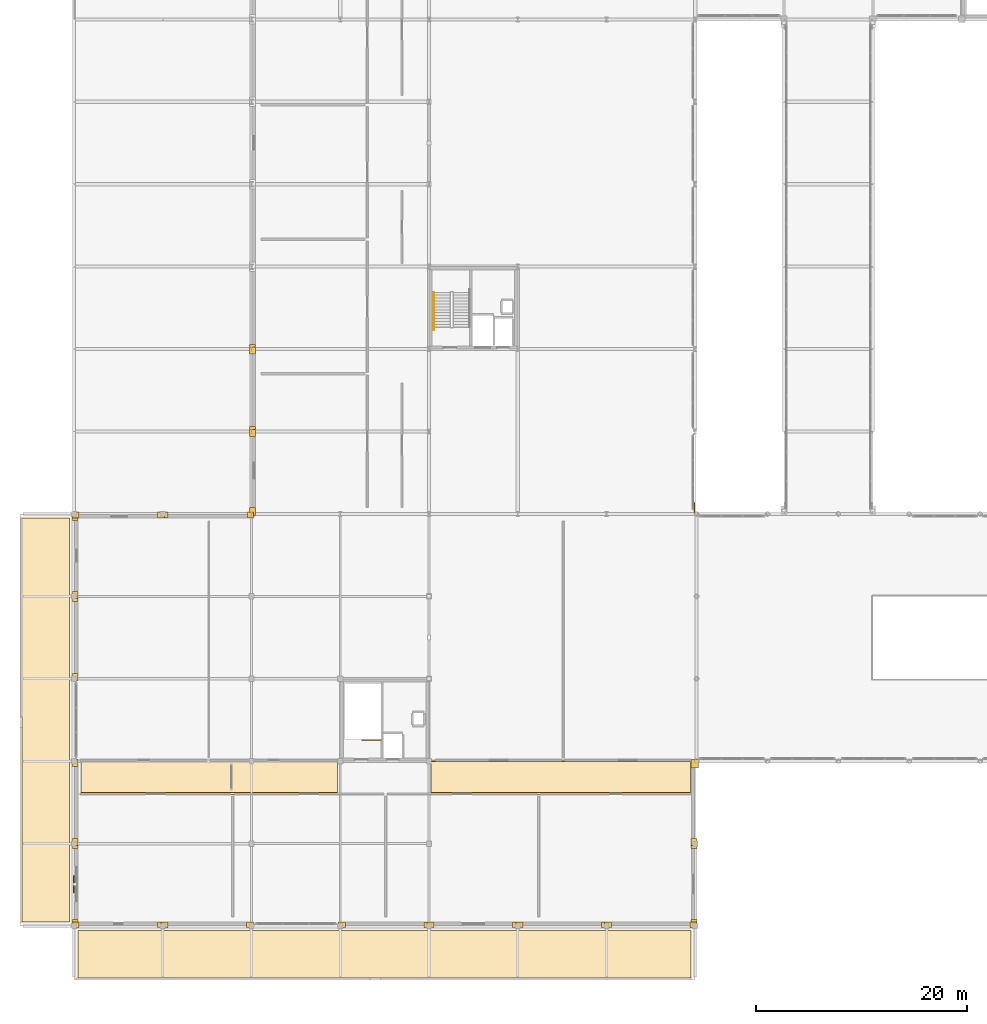
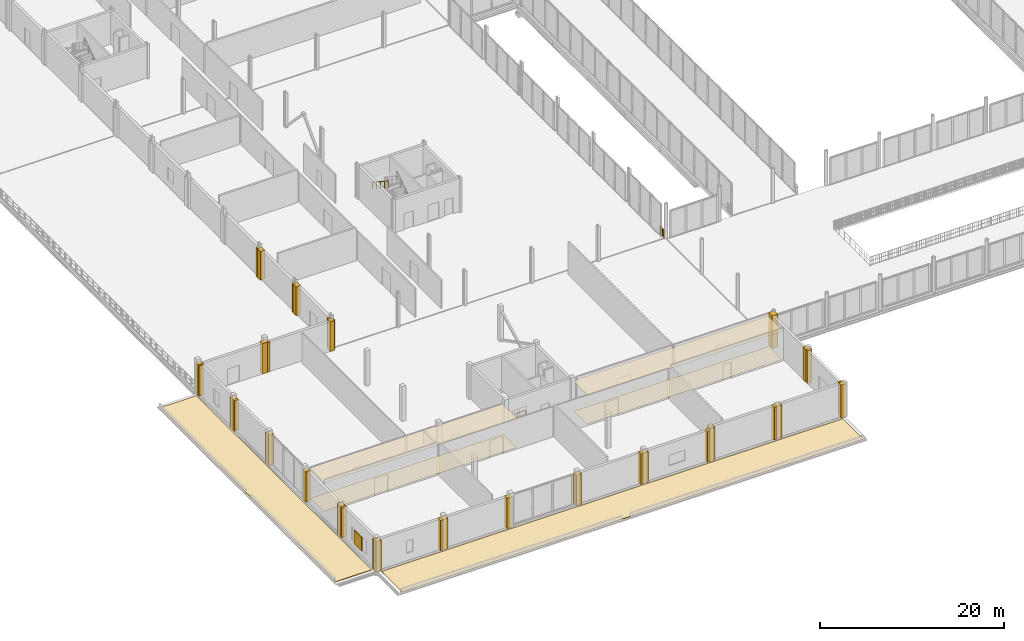
# One storey, part 85 of 98: 39 coverings, 3 railings, 1 shading device.
"""IFC4 building model written with IfcOpenShell, lengths in metres."""

from ifc_helpers import new_model, si_unit, direction, frame, origin, origin_2d, place, context, subcontext, project, spatial, polyline, rectangle, circle, outline, extrude, material, layer, layer_set, type_object, element, save


model = new_model("IFC4")

# Units and contexts
model_context = context("Model", 3, precision=1e-05, world=origin(), true_north=direction((0.0, 1.0)))
body_context = subcontext(model_context, "Body", "Model", "MODEL_VIEW")
ifc_project = project(units=[si_unit("LENGTHUNIT", "METRE"), si_unit("AREAUNIT", "SQUARE_METRE"), si_unit("VOLUMEUNIT", "CUBIC_METRE"), si_unit("PLANEANGLEUNIT", "RADIAN"), si_unit("MASSUNIT", "GRAM", prefix="KILO")], contexts=[model_context])

# Site, building, storey
site_placement = place(None, origin())
site = spatial("IfcSite", under=ifc_project, at=site_placement, CompositionType="ELEMENT")
building_placement = place(site_placement, origin())
building = spatial("IfcBuilding", under=site, at=building_placement, Name="Nabrawat Pavilion Hospital", CompositionType="ELEMENT")
storey_placement = place(building_placement, frame((0.0, 0.0, 10.199951171875)))
storey = spatial("IfcBuildingStorey", under=building, at=storey_placement, Name="L02", CompositionType="ELEMENT", Elevation=10.199951171875)

# Coverings
ifc_material_1 = material(Name="Precast concrete C40/50", Category="concrete")
ifc_layer_1 = layer(ifc_material_1, 0.360107421875, Name="Precast concrete C40/50")
ifc_layer_set_1 = layer_set([ifc_layer_1], Name="Precast concrete C40/50")
covering_type_1 = type_object("IfcCoveringType", Name="Architectural Precast Column-Jamb Closure Reveal", PredefinedType="CLADDING", material=ifc_layer_set_1)
covering_1_placement = place(storey_placement, origin())
element("IfcCovering", 1, at=covering_1_placement, inside=storey, type_object=covering_type_1, Name="L02 Precast Facade Column-Jamb Weatherseal Closure 0301", PredefinedType="CLADDING", context=body_context, shape_type="SweptSolid", body=[
    extrude(outline(polyline([(0.39990234375, -0.179931640625), (0.39990234375, 0.6201171875), (-0.179931640625, 0.6201171875), (-0.179931640625, -0.179931640625), (0.39990234375, -0.179931640625)])), origin(), (0.0, 0.0, 1.0), 4.0400390625),
])
covering_2_placement = place(storey_placement, origin())
element("IfcCovering", 2, at=covering_2_placement, inside=storey, type_object=covering_type_1, Name="L02 Precast Facade Column-Jamb Weatherseal Closure 0302", PredefinedType="CLADDING", context=body_context, shape_type="SweptSolid", body=[
    extrude(outline(polyline([(0.39990234375, 7.320068359375), (0.39990234375, 7.97998046875), (-0.179931640625, 7.97998046875), (-0.179931640625, 7.320068359375), (0.39990234375, 7.320068359375)])), origin(), (0.0, 0.0, 1.0), 4.0400390625),
])
covering_3_placement = place(storey_placement, origin())
element("IfcCovering", 3, at=covering_3_placement, inside=storey, type_object=covering_type_1, Name="L02 Precast Facade Column-Jamb Weatherseal Closure 0303", PredefinedType="CLADDING", context=body_context, shape_type="SweptSolid", body=[
    extrude(outline(polyline([(0.39990234375, 7.6201171875), (0.39990234375, 8.280029296875), (-0.179931640625, 8.280029296875), (-0.179931640625, 7.6201171875), (0.39990234375, 7.6201171875)])), origin(), (0.0, 0.0, 1.0), 4.0400390625),
])
covering_4_placement = place(storey_placement, origin())
element("IfcCovering", 4, at=covering_4_placement, inside=storey, type_object=covering_type_1, Name="L02 Precast Facade Column-Jamb Weatherseal Closure 0304", PredefinedType="CLADDING", context=body_context, shape_type="SweptSolid", body=[
    extrude(outline(polyline([(0.39990234375, 15.1201171875), (0.39990234375, 15.780029296875), (-0.179931640625, 15.780029296875), (-0.179931640625, 15.1201171875), (0.39990234375, 15.1201171875)])), origin(), (0.0, 0.0, 1.0), 4.0400390625),
])
covering_5_placement = place(storey_placement, origin())
element("IfcCovering", 5, at=covering_5_placement, inside=storey, type_object=covering_type_1, Name="L02 Precast Facade Column-Jamb Weatherseal Closure 0305", PredefinedType="CLADDING", context=body_context, shape_type="SweptSolid", body=[
    extrude(outline(polyline([(0.39990234375, 23.219970703125), (0.39990234375, 23.8798828125), (-0.179931640625, 23.8798828125), (-0.179931640625, 23.219970703125), (0.39990234375, 23.219970703125)])), origin(), (0.0, 0.0, 1.0), 4.0400390625),
])
covering_6_placement = place(storey_placement, origin())
element("IfcCovering", 6, at=covering_6_placement, inside=storey, type_object=covering_type_1, Name="L02 Precast Facade Column-Jamb Weatherseal Closure 0306", PredefinedType="CLADDING", context=body_context, shape_type="SweptSolid", body=[
    extrude(outline(polyline([(0.39990234375, 30.719970703125), (0.39990234375, 31.3798828125), (-0.179931640625, 31.3798828125), (-0.179931640625, 30.719970703125), (0.39990234375, 30.719970703125)])), origin(), (0.0, 0.0, 1.0), 4.0400390625),
])
covering_7_placement = place(storey_placement, origin())
element("IfcCovering", 7, at=covering_7_placement, inside=storey, type_object=covering_type_1, Name="L02 Precast Facade Column-Jamb Weatherseal Closure 0307", PredefinedType="CLADDING", context=body_context, shape_type="SweptSolid", body=[
    extrude(outline(polyline([(0.39990234375, 31.02001953125), (0.39990234375, 31.679931640625), (-0.179931640625, 31.679931640625), (-0.179931640625, 31.02001953125), (0.39990234375, 31.02001953125)])), origin(), (0.0, 0.0, 1.0), 4.0400390625),
])
covering_8_placement = place(storey_placement, origin())
element("IfcCovering", 8, at=covering_8_placement, inside=storey, type_object=covering_type_1, Name="L02 Precast Facade Column-Jamb Weatherseal Closure 0308", PredefinedType="CLADDING", context=body_context, shape_type="SweptSolid", body=[
    extrude(outline(polyline([(0.39990234375, 38.3798828125), (0.39990234375, 39.179931640625), (-0.179931640625, 39.179931640625), (-0.179931640625, 38.3798828125), (0.39990234375, 38.3798828125)])), origin(), (0.0, 0.0, 1.0), 4.0400390625),
])
covering_9_placement = place(storey_placement, origin())
element("IfcCovering", 9, at=covering_9_placement, inside=storey, type_object=covering_type_1, Name="L02 Precast Facade Column-Jamb Weatherseal Closure 0309", PredefinedType="CLADDING", context=body_context, shape_type="SweptSolid", body=[
    extrude(outline(polyline([(0.47998046875, -0.179931640625), (0.47998046875, 0.39990234375), (-0.179931640625, 0.39990234375), (-0.179931640625, -0.179931640625), (0.47998046875, -0.179931640625)])), origin(), (0.0, 0.0, 1.0), 4.0400390625),
])
covering_10_placement = place(storey_placement, origin())
element("IfcCovering", 10, at=covering_10_placement, inside=storey, type_object=covering_type_1, Name="L02 Precast Facade Column-Jamb Weatherseal Closure 0310", PredefinedType="CLADDING", context=body_context, shape_type="SweptSolid", body=[
    extrude(outline(polyline([(8.580078125, -0.179931640625), (8.580078125, 0.39990234375), (7.919921875, 0.39990234375), (7.919921875, -0.179931640625), (8.580078125, -0.179931640625)])), origin(), (0.0, 0.0, 1.0), 4.0400390625),
])
covering_11_placement = place(storey_placement, origin())
element("IfcCovering", 11, at=covering_11_placement, inside=storey, type_object=covering_type_1, Name="L02 Precast Facade Column-Jamb Weatherseal Closure 0311", PredefinedType="CLADDING", context=body_context, shape_type="SweptSolid", body=[
    extrude(outline(polyline([(8.8798828125, -0.179931640625), (8.8798828125, 0.39990234375), (8.219970703125, 0.39990234375), (8.219970703125, -0.179931640625), (8.8798828125, -0.179931640625)])), origin(), (0.0, 0.0, 1.0), 4.0400390625),
])
covering_12_placement = place(storey_placement, origin())
element("IfcCovering", 12, at=covering_12_placement, inside=storey, type_object=covering_type_1, Name="L02 Precast Facade Column-Jamb Weatherseal Closure 0312", PredefinedType="CLADDING", context=body_context, shape_type="SweptSolid", body=[
    extrude(outline(polyline([(16.97998046875, -0.179931640625), (16.97998046875, 0.39990234375), (16.320068359375, 0.39990234375), (16.320068359375, -0.179931640625), (16.97998046875, -0.179931640625)])), origin(), (0.0, 0.0, 1.0), 4.0400390625),
])
covering_13_placement = place(storey_placement, origin())
element("IfcCovering", 13, at=covering_13_placement, inside=storey, type_object=covering_type_1, Name="L02 Precast Facade Column-Jamb Weatherseal Closure 0313", PredefinedType="CLADDING", context=body_context, shape_type="SweptSolid", body=[
    extrude(outline(polyline([(25.679931640625, -0.179931640625), (25.679931640625, 0.39990234375), (25.02001953125, 0.39990234375), (25.02001953125, -0.179931640625), (25.679931640625, -0.179931640625)])), origin(), (0.0, 0.0, 1.0), 4.0400390625),
])
covering_14_placement = place(storey_placement, origin())
element("IfcCovering", 14, at=covering_14_placement, inside=storey, type_object=covering_type_1, Name="L02 Precast Facade Column-Jamb Weatherseal Closure 0314", PredefinedType="CLADDING", context=body_context, shape_type="SweptSolid", body=[
    extrude(outline(polyline([(33.780029296875, -0.179931640625), (33.780029296875, 0.39990234375), (33.1201171875, 0.39990234375), (33.1201171875, -0.179931640625), (33.780029296875, -0.179931640625)])), origin(), (0.0, 0.0, 1.0), 4.0400390625),
])
covering_15_placement = place(storey_placement, origin())
element("IfcCovering", 15, at=covering_15_placement, inside=storey, type_object=covering_type_1, Name="L02 Precast Facade Column-Jamb Weatherseal Closure 0315", PredefinedType="CLADDING", context=body_context, shape_type="SweptSolid", body=[
    extrude(outline(polyline([(34.080078125, -0.179931640625), (34.080078125, 0.39990234375), (33.419921875, 0.39990234375), (33.419921875, -0.179931640625), (34.080078125, -0.179931640625)])), origin(), (0.0, 0.0, 1.0), 4.0400390625),
])
covering_16_placement = place(storey_placement, origin())
element("IfcCovering", 16, at=covering_16_placement, inside=storey, type_object=covering_type_1, Name="L02 Precast Facade Column-Jamb Weatherseal Closure 0316", PredefinedType="CLADDING", context=body_context, shape_type="SweptSolid", body=[
    extrude(outline(polyline([(42.179931640625, -0.179931640625), (42.179931640625, 0.39990234375), (41.52001953125, 0.39990234375), (41.52001953125, -0.179931640625), (42.179931640625, -0.179931640625)])), origin(), (0.0, 0.0, 1.0), 4.0400390625),
])
covering_17_placement = place(storey_placement, origin())
element("IfcCovering", 17, at=covering_17_placement, inside=storey, type_object=covering_type_1, Name="L02 Precast Facade Column-Jamb Weatherseal Closure 0317", PredefinedType="CLADDING", context=body_context, shape_type="SweptSolid", body=[
    extrude(outline(polyline([(42.47998046875, -0.179931640625), (42.47998046875, 0.39990234375), (41.820068359375, 0.39990234375), (41.820068359375, -0.179931640625), (42.47998046875, -0.179931640625)])), origin(), (0.0, 0.0, 1.0), 4.3701171875),
])
covering_18_placement = place(storey_placement, origin())
element("IfcCovering", 18, at=covering_18_placement, inside=storey, type_object=covering_type_1, Name="L02 Precast Facade Column-Jamb Weatherseal Closure 0318", PredefinedType="CLADDING", context=body_context, shape_type="SweptSolid", body=[
    extrude(outline(polyline([(50.580078125, -0.179931640625), (50.580078125, 0.39990234375), (49.919921875, 0.39990234375), (49.919921875, -0.179931640625), (50.580078125, -0.179931640625)])), origin(), (0.0, 0.0, 1.0), 4.3701171875),
])
covering_19_placement = place(storey_placement, origin())
element("IfcCovering", 19, at=covering_19_placement, inside=storey, type_object=covering_type_1, Name="L02 Precast Facade Column-Jamb Weatherseal Closure 0319", PredefinedType="CLADDING", context=body_context, shape_type="SweptSolid", body=[
    extrude(outline(polyline([(50.8798828125, -0.179931640625), (50.8798828125, 0.39990234375), (50.219970703125, 0.39990234375), (50.219970703125, -0.179931640625), (50.8798828125, -0.179931640625)])), origin(), (0.0, 0.0, 1.0), 4.3701171875),
])
covering_20_placement = place(storey_placement, origin())
element("IfcCovering", 20, at=covering_20_placement, inside=storey, type_object=covering_type_1, Name="L02 Precast Facade Column-Jamb Weatherseal Closure 0320", PredefinedType="CLADDING", context=body_context, shape_type="SweptSolid", body=[
    extrude(outline(polyline([(58.97998046875, -0.179931640625), (58.97998046875, 0.39990234375), (58.320068359375, 0.39990234375), (58.320068359375, -0.179931640625), (58.97998046875, -0.179931640625)])), origin(), (0.0, 0.0, 1.0), 4.3701171875),
])
covering_21_placement = place(storey_placement, origin())
element("IfcCovering", 21, at=covering_21_placement, inside=storey, type_object=covering_type_1, Name="L02 Precast Facade Column-Jamb Weatherseal Closure 0321", PredefinedType="CLADDING", context=body_context, shape_type="SweptSolid", body=[
    extrude(outline(polyline([(0.47998046875, 38.60009765625), (0.47998046875, 39.179931640625), (-0.179931640625, 39.179931640625), (-0.179931640625, 38.60009765625), (0.47998046875, 38.60009765625)])), origin(), (0.0, 0.0, 1.0), 4.0400390625),
])
covering_22_placement = place(storey_placement, origin())
element("IfcCovering", 22, at=covering_22_placement, inside=storey, type_object=covering_type_1, Name="L02 Precast Facade Column-Jamb Weatherseal Closure 0322", PredefinedType="CLADDING", context=body_context, shape_type="SweptSolid", body=[
    extrude(outline(polyline([(8.580078125, 38.60009765625), (8.580078125, 39.179931640625), (7.919921875, 39.179931640625), (7.919921875, 38.60009765625), (8.580078125, 38.60009765625)])), origin(), (0.0, 0.0, 1.0), 4.0400390625),
])
covering_23_placement = place(storey_placement, origin())
element("IfcCovering", 23, at=covering_23_placement, inside=storey, type_object=covering_type_1, Name="L02 Precast Facade Column-Jamb Weatherseal Closure 0323", PredefinedType="CLADDING", context=body_context, shape_type="SweptSolid", body=[
    extrude(outline(polyline([(8.8798828125, 38.60009765625), (8.8798828125, 39.179931640625), (8.219970703125, 39.179931640625), (8.219970703125, 38.60009765625), (8.8798828125, 38.60009765625)])), origin(), (0.0, 0.0, 1.0), 3.969970703125),
])
covering_24_placement = place(storey_placement, origin())
element("IfcCovering", 24, at=covering_24_placement, inside=storey, type_object=covering_type_1, Name="L02 Precast Facade Column-Jamb Weatherseal Closure 0324", PredefinedType="CLADDING", context=body_context, shape_type="SweptSolid", body=[
    extrude(outline(polyline([(16.97998046875, 38.60009765625), (16.97998046875, 39.179931640625), (16.419921875, 39.179931640625), (16.419921875, 38.60009765625), (16.97998046875, 38.60009765625)])), origin(), (0.0, 0.0, 1.0), 3.969970703125),
])
covering_25_placement = place(storey_placement, origin())
element("IfcCovering", 25, at=covering_25_placement, inside=storey, type_object=covering_type_1, Name="L02 Precast Facade Column-Jamb Weatherseal Closure 0325", PredefinedType="CLADDING", context=body_context, shape_type="SweptSolid", body=[
    extrude(outline(polyline([(17.199951171875, 38.820068359375), (17.199951171875, 39.6201171875), (16.6201171875, 39.6201171875), (16.6201171875, 38.820068359375), (17.199951171875, 38.820068359375)])), origin(), (0.0, 0.0, 1.0), 3.820068359375),
])
covering_26_placement = place(storey_placement, origin())
element("IfcCovering", 26, at=covering_26_placement, inside=storey, type_object=covering_type_1, Name="L02 Precast Facade Column-Jamb Weatherseal Closure 0326", PredefinedType="CLADDING", context=body_context, shape_type="SweptSolid", body=[
    extrude(outline(polyline([(17.199951171875, 46.344970703125), (17.199951171875, 46.97998046875), (16.6201171875, 46.97998046875), (16.6201171875, 46.344970703125), (17.199951171875, 46.344970703125)])), origin(), (0.0, 0.0, 1.0), 3.820068359375),
])
covering_27_placement = place(storey_placement, origin())
element("IfcCovering", 27, at=covering_27_placement, inside=storey, type_object=covering_type_1, Name="L02 Precast Facade Column-Jamb Weatherseal Closure 0327", PredefinedType="CLADDING", context=body_context, shape_type="SweptSolid", body=[
    extrude(outline(polyline([(17.199951171875, 46.6201171875), (17.199951171875, 47.2548828125), (16.6201171875, 47.2548828125), (16.6201171875, 46.6201171875), (17.199951171875, 46.6201171875)])), origin(), (0.0, 0.0, 1.0), 3.820068359375),
])
covering_28_placement = place(storey_placement, origin())
element("IfcCovering", 28, at=covering_28_placement, inside=storey, type_object=covering_type_1, Name="L02 Precast Facade Column-Jamb Weatherseal Closure 0328", PredefinedType="CLADDING", context=body_context, shape_type="SweptSolid", body=[
    extrude(outline(polyline([(17.199951171875, 54.14501953125), (17.199951171875, 54.780029296875), (16.6201171875, 54.780029296875), (16.6201171875, 54.14501953125), (17.199951171875, 54.14501953125)])), origin(), (0.0, 0.0, 1.0), 3.820068359375),
])
covering_29_placement = place(storey_placement, origin())
element("IfcCovering", 29, at=covering_29_placement, inside=storey, type_object=covering_type_1, Name="L02 Precast Facade Column-Jamb Weatherseal Closure 0329", PredefinedType="CLADDING", context=body_context, shape_type="SweptSolid", body=[
    extrude(outline(polyline([(17.199951171875, 54.419921875), (17.199951171875, 55.054931640625), (16.6201171875, 55.054931640625), (16.6201171875, 54.419921875), (17.199951171875, 54.419921875)])), origin(), (0.0, 0.0, 1.0), 3.820068359375),
])
covering_30_placement = place(storey_placement, origin())
element("IfcCovering", 30, at=covering_30_placement, inside=storey, type_object=covering_type_1, Name="L02 Precast Facade Column-Jamb Weatherseal Closure 0351", PredefinedType="CLADDING", context=body_context, shape_type="SweptSolid", body=[
    extrude(outline(polyline([(58.97998046875, -0.179931640625), (58.97998046875, 0.6201171875), (58.39990234375, 0.6201171875), (58.39990234375, -0.179931640625), (58.97998046875, -0.179931640625)])), origin(), (0.0, 0.0, 1.0), 4.3701171875),
])
covering_31_placement = place(storey_placement, origin())
element("IfcCovering", 31, at=covering_31_placement, inside=storey, type_object=covering_type_1, Name="L02 Precast Facade Column-Jamb Weatherseal Closure 0352", PredefinedType="CLADDING", context=body_context, shape_type="SweptSolid", body=[
    extrude(outline(polyline([(58.97998046875, 7.320068359375), (58.97998046875, 7.97998046875), (58.39990234375, 7.97998046875), (58.39990234375, 7.320068359375), (58.97998046875, 7.320068359375)])), origin(), (0.0, 0.0, 1.0), 4.3701171875),
])
covering_32_placement = place(storey_placement, origin())
element("IfcCovering", 32, at=covering_32_placement, inside=storey, type_object=covering_type_1, Name="L02 Precast Facade Column-Jamb Weatherseal Closure 0353", PredefinedType="CLADDING", context=body_context, shape_type="SweptSolid", body=[
    extrude(outline(polyline([(58.97998046875, 7.6201171875), (58.97998046875, 8.280029296875), (58.39990234375, 8.280029296875), (58.39990234375, 7.6201171875), (58.97998046875, 7.6201171875)])), origin(), (0.0, 0.0, 1.0), 4.3701171875),
])
covering_33_placement = place(storey_placement, origin())
element("IfcCovering", 33, at=covering_33_placement, inside=storey, type_object=covering_type_1, Name="L02 Precast Facade Column-Jamb Weatherseal Closure 0354", PredefinedType="CLADDING", context=body_context, shape_type="SweptSolid", body=[
    extrude(outline(polyline([(59.10009765625, 14.97998046875), (59.10009765625, 15.780029296875), (58.39990234375, 15.780029296875), (58.39990234375, 14.97998046875), (59.10009765625, 14.97998046875)])), origin(), (0.0, 0.0, 1.0), 4.3701171875),
])

# Railing
ifc_material_2 = material(Name="Stainless Steel 316", Category="steel")
ifc_layer_2 = layer(ifc_material_2, 0.070068359375, Name="Stainless Steel 316")
ifc_layer_set_2 = layer_set([ifc_layer_2], Name="Stainless Steel 316")
railing_type_1 = type_object("IfcRailingType", Name="Exterior Clinical Terrace Safety Guardrail 1100", PredefinedType="GUARDRAIL", material=ifc_layer_set_2)
railing_1_placement = place(storey_placement, frame((58.739990234375, 39.1201171875, 0.0)))
element("IfcRailing", 34, at=railing_1_placement, inside=storey, type_object=railing_type_1, Name="L02 Courtyard Seismic Joint Corner Guardrail 01", PredefinedType="GUARDRAIL", context=body_context, shape_type="SweptSolid", body=[
    extrude(circle(Radius=0.02392578125, at=origin_2d()), frame((0.0, 0.0, 1.09619140625), z_axis=(0.0, 1.0, 0.0), x_axis=(-1.0, 0.0, 0.0)), (0.0, 0.0, 1.0), 0.929931640625),
    extrude(circle(Radius=0.02392578125, at=origin_2d()), frame((0.0, 0.0, 0.10009765625), z_axis=(0.0, 1.0, 0.0), x_axis=(-1.0, 0.0, 0.0)), (0.0, 0.0, 1.0), 0.929931640625),
    extrude(circle(Radius=0.02392578125, at=origin_2d()), frame((0.0, 0.0, 0.615966796875), z_axis=(0.0, 1.0, 0.0), x_axis=(-1.0, 0.0, 0.0)), (0.0, 0.0, 1.0), 0.929931640625),
    extrude(circle(Radius=0.008056640625, at=origin_2d()), frame((0.0, 0.232421875, 0.10009765625)), (0.0, 0.0, 1.0), 0.971923828125),
    extrude(circle(Radius=0.008056640625, at=origin_2d()), frame((0.0, 0.46484375, 0.10009765625)), (0.0, 0.0, 1.0), 0.971923828125),
    extrude(circle(Radius=0.008056640625, at=origin_2d()), frame((0.0, 0.697509765625, 0.10009765625)), (0.0, 0.0, 1.0), 0.971923828125),
    extrude(circle(Radius=0.02099609375, at=origin_2d()), origin(), (0.0, 0.0, 1.0), 1.072021484375),
    extrude(circle(Radius=0.02099609375, at=origin_2d()), frame((0.0, 0.929931640625, 0.0)), (0.0, 0.0, 1.0), 1.072021484375),
])

# Coverings
ifc_material_3 = material(Name="Mineral-Fibre Hygienic Acoustic Board", Category="gypsum")
ifc_layer_3 = layer(ifc_material_3, 0.02490234375, Name="Mineral-Fibre Hygienic Acoustic Board")
ifc_layer_set_3 = layer_set([ifc_layer_3], Name="Mineral-Fibre Hygienic Acoustic Board")
covering_type_2 = type_object("IfcCoveringType", Name="Hygienic Anti-Bacterial Acoustic Tile Ceiling", PredefinedType="CEILING", material=ifc_layer_set_3)
covering_34_placement = place(storey_placement, frame((0.0, 0.0, 3.920166015625)))
element("IfcCovering", 35, at=covering_34_placement, inside=storey, type_object=covering_type_2, Name="L02 Clinical Corridor Acoustic Ceiling 05", PredefinedType="CEILING", context=body_context, shape_type="SweptSolid", body=[
    extrude(outline(polyline([(24.949951171875, 12.469970703125), (24.949951171875, 15.72998046875), (0.64990234375, 15.72998046875), (0.64990234375, 12.469970703125), (24.949951171875, 12.469970703125)])), origin(), (0.0, 0.0, 1.0), 0.02490234375),
])
covering_35_placement = place(storey_placement, frame((0.0, 0.0, 3.920166015625)))
element("IfcCovering", 36, at=covering_35_placement, inside=storey, type_object=covering_type_2, Name="L02 Clinical Corridor Acoustic Ceiling 06", PredefinedType="CEILING", context=body_context, shape_type="SweptSolid", body=[
    extrude(outline(polyline([(58.35009765625, 12.469970703125), (58.35009765625, 15.72998046875), (33.77001953125, 15.72998046875), (33.77001953125, 12.469970703125), (58.35009765625, 12.469970703125)])), origin(), (0.0, 0.0, 1.0), 0.02490234375),
])

# Shading device
ifc_layer_4 = layer(ifc_material_1, 2.39990234375, Name="Precast concrete C40/50")
ifc_layer_set_4 = layer_set([ifc_layer_4], Name="Precast concrete C40/50")
shading_device_type = type_object("IfcShadingDeviceType", Name="Perforated GFRC Mashrabiya Solar Fin", PredefinedType="JALOUSIE", material=ifc_layer_set_4)
shading_device_placement = place(storey_placement, frame((-0.010009765625, 3.969970703125, 0.75), z_axis=(0.0, 0.0, 1.0), x_axis=(0.0, 1.0, 0.0)))
element("IfcShadingDevice", 37, at=shading_device_placement, inside=storey, type_object=shading_device_type, Name="L02 Perforated GFRC Mashrabiya Screen 012", PredefinedType="JALOUSIE", context=body_context, shape_type="SweptSolid", body=[
    extrude(rectangle(XDim=1.60009765625, YDim=0.139892578125, at=origin_2d()), origin(), (0.0, 0.0, 1.0), 1.800048828125),
])

# Coverings
ifc_material_4 = material(Name="Homogeneous Medical PVC Vinyl", Category="plastic")
ifc_layer_5 = layer(ifc_material_4, 0.014892578125, Name="Homogeneous Medical PVC Vinyl")
ifc_layer_set_5 = layer_set([ifc_layer_5], Name="Homogeneous Medical PVC Vinyl")
covering_type_3 = type_object("IfcCoveringType", Name="Seamless Anti-Static Medical Vinyl Flooring", PredefinedType="FLOORING", material=ifc_layer_set_5)
covering_36_placement = place(storey_placement, origin())
element("IfcCovering", 38, at=covering_36_placement, inside=storey, type_object=covering_type_3, Name="L02 Clinical Corridor Medical Vinyl Flooring 05", PredefinedType="FLOORING", context=body_context, shape_type="SweptSolid", body=[
    extrude(outline(polyline([(24.949951171875, 12.64990234375), (24.949951171875, 15.550048828125), (0.64990234375, 15.550048828125), (0.64990234375, 12.64990234375), (24.949951171875, 12.64990234375)])), origin(), (0.0, 0.0, 1.0), 0.01513671875),
])
covering_37_placement = place(storey_placement, origin())
element("IfcCovering", 39, at=covering_37_placement, inside=storey, type_object=covering_type_3, Name="L02 Clinical Corridor Medical Vinyl Flooring 06", PredefinedType="FLOORING", context=body_context, shape_type="SweptSolid", body=[
    extrude(outline(polyline([(58.35009765625, 12.64990234375), (58.35009765625, 15.550048828125), (33.77001953125, 15.550048828125), (33.77001953125, 12.64990234375), (58.35009765625, 12.64990234375)])), origin(), (0.0, 0.0, 1.0), 0.01513671875),
])

# Railings
ifc_layer_6 = layer(ifc_material_2, 0.050048828125, Name="Stainless Steel 316")
ifc_layer_set_6 = layer_set([ifc_layer_6], Name="Stainless Steel 316")
railing_type_2 = type_object("IfcRailingType", Name="Stair Open-Well Safety Guardrail 1100", PredefinedType="GUARDRAIL", material=ifc_layer_set_6)
railing_2_placement = place(storey_placement, frame((29.050048828125, 17.6201171875, 0.0)))
element("IfcRailing", 40, at=railing_2_placement, inside=storey, type_object=railing_type_2, Name="L02 ST-01 top well guard 1", PredefinedType="GUARDRAIL", context=body_context, shape_type="SweptSolid", body=[
    extrude(circle(Radius=0.02392578125, at=origin_2d()), frame((0.0, 0.0, 1.076171875), z_axis=(-1.0, 0.0, 0.0), x_axis=(0.0, -1.0, 0.0)), (0.0, 0.0, 1.0), 1.800048828125),
    extrude(circle(Radius=0.02392578125, at=origin_2d()), frame((0.0, 0.0, 0.10009765625), z_axis=(-1.0, 0.0, 0.0), x_axis=(0.0, -1.0, 0.0)), (0.0, 0.0, 1.0), 1.800048828125),
    extrude(circle(Radius=0.02392578125, at=origin_2d()), frame((0.0, 0.0, 0.60498046875), z_axis=(-1.0, 0.0, 0.0), x_axis=(0.0, -1.0, 0.0)), (0.0, 0.0, 1.0), 1.800048828125),
    extrude(circle(Radius=0.008056640625, at=origin_2d()), frame((-0.22509765625, 0.0, 0.10009765625)), (0.0, 0.0, 1.0), 0.951904296875),
    extrude(circle(Radius=0.008056640625, at=origin_2d()), frame((-0.449951171875, 0.0, 0.10009765625)), (0.0, 0.0, 1.0), 0.951904296875),
    extrude(circle(Radius=0.008056640625, at=origin_2d()), frame((-0.675048828125, 0.0, 0.10009765625)), (0.0, 0.0, 1.0), 0.951904296875),
    extrude(circle(Radius=0.008056640625, at=origin_2d()), frame((-1.125, 0.0, 0.10009765625)), (0.0, 0.0, 1.0), 0.951904296875),
    extrude(circle(Radius=0.008056640625, at=origin_2d()), frame((-1.35009765625, 0.0, 0.10009765625)), (0.0, 0.0, 1.0), 0.951904296875),
    extrude(circle(Radius=0.008056640625, at=origin_2d()), frame((-1.574951171875, 0.0, 0.10009765625)), (0.0, 0.0, 1.0), 0.951904296875),
    extrude(circle(Radius=0.02099609375, at=origin_2d()), origin(), (0.0, 0.0, 1.0), 1.052001953125),
    extrude(circle(Radius=0.02099609375, at=origin_2d()), frame((-0.89990234375, 0.0, 0.0)), (0.0, 0.0, 1.0), 1.052001953125),
    extrude(circle(Radius=0.02099609375, at=origin_2d()), frame((-1.800048828125, 0.0, 0.0)), (0.0, 0.0, 1.0), 1.052001953125),
])
ifc_layer_7 = layer(ifc_material_2, 0.044921875, Name="Stainless Steel 316")
ifc_layer_set_7 = layer_set([ifc_layer_7], Name="Stainless Steel 316")
railing_type_3 = type_object("IfcRailingType", Name="Stair Pitch Continuous Handrail 920", PredefinedType="HANDRAIL", material=ifc_layer_set_7)
railing_3_placement = place(storey_placement, frame((34.074951171875, 59.969970703125, 2.5078125)))
element("IfcRailing", 41, at=railing_3_placement, inside=storey, type_object=railing_type_3, Name="L02 ST-02 stair handrail 2", PredefinedType="HANDRAIL", context=body_context, shape_type="SweptSolid", body=[
    extrude(circle(Radius=0.02392578125, at=origin_2d()), frame((0.0, 0.0, 0.89599609375), z_axis=(0.0, -0.838311484064, 0.54519157705), x_axis=(1.0, 0.0, 0.0)), (0.0, 0.0, 1.0), 4.264404296875),
    extrude(circle(Radius=0.02099609375, at=origin_2d()), origin(), (0.0, 0.0, 1.0), 0.871826171875),
    extrude(circle(Radius=0.02099609375, at=origin_2d()), frame((0.0, -0.893798828125, 0.581298828125)), (0.0, 0.0, 1.0), 0.871826171875),
    extrude(circle(Radius=0.02099609375, at=origin_2d()), frame((0.0, -1.78759765625, 1.16259765625)), (0.0, 0.0, 1.0), 0.871826171875),
    extrude(circle(Radius=0.02099609375, at=origin_2d()), frame((0.0, -2.68115234375, 1.74365234375)), (0.0, 0.0, 1.0), 0.871826171875),
    extrude(circle(Radius=0.02099609375, at=origin_2d()), frame((0.0, -3.574951171875, 2.324951171875)), (0.0, 0.0, 1.0), 0.871826171875),
])

# Coverings
ifc_material_5 = material(Name="Standing-Seam Anodised Aluminium", Category="aluminium")
ifc_layer_8 = layer(ifc_material_5, 0.050048828125, Name="Standing-Seam Anodised Aluminium")
ifc_layer_set_8 = layer_set([ifc_layer_8], Name="Standing-Seam Anodised Aluminium")
covering_type_4 = type_object("IfcCoveringType", Name="Standing-Seam desert-tan Aluminium Roof Cladding", PredefinedType="ROOFING", material=ifc_layer_set_8)
covering_38_placement = place(storey_placement, origin())
element("IfcCovering", 42, at=covering_38_placement, inside=storey, type_object=covering_type_4, Name="South Colonnade Weathering Cladding", PredefinedType="ROOFING", context=body_context, shape_type="SweptSolid", body=[
    extrude(outline(polyline([(58.39990234375, -4.89990234375), (58.39990234375, -0.39990234375), (0.39990234375, -0.39990234375), (0.39990234375, -4.89990234375), (58.39990234375, -4.89990234375)])), origin(), (0.0, 0.0, 1.0), 0.050048828125),
])
covering_39_placement = place(storey_placement, origin())
element("IfcCovering", 43, at=covering_39_placement, inside=storey, type_object=covering_type_4, Name="Ambulance Canopy Weathering Cladding", PredefinedType="ROOFING", context=body_context, shape_type="SweptSolid", body=[
    extrude(outline(polyline([(-0.39990234375, 0.39990234375), (-0.39990234375, 38.60009765625), (-4.89990234375, 38.60009765625), (-4.89990234375, 0.39990234375), (-0.39990234375, 0.39990234375)])), origin(), (0.0, 0.0, 1.0), 0.050048828125),
])

save(model, "model.ifc")
